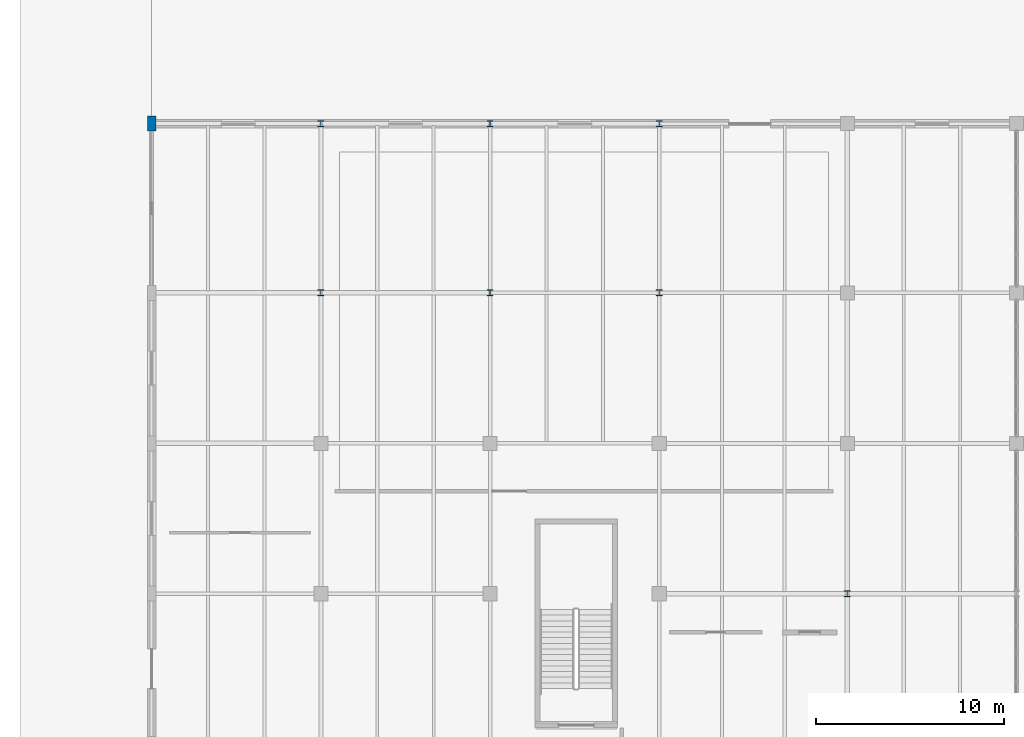
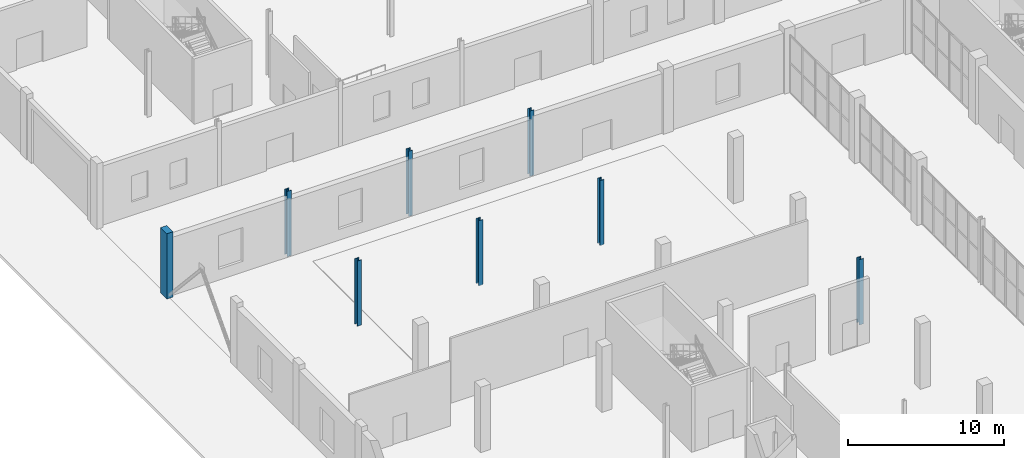
# One storey, part 6 of 103: 8 columns.
"""IFC4 building model written with IfcOpenShell, lengths in metres."""

from ifc_helpers import new_model, si_unit, direction, frame, origin, origin_2d, place, context, subcontext, project, spatial, rectangle, i_section, extrude, material, material_profile, profile_set, type_object, element, save


model = new_model("IFC4")

# Units and contexts
model_context = context("Model", 3, precision=1e-05, world=origin(), true_north=direction((0.0, 1.0)))
body_context = subcontext(model_context, "Body", "Model", "MODEL_VIEW")
ifc_project = project(units=[si_unit("LENGTHUNIT", "METRE"), si_unit("AREAUNIT", "SQUARE_METRE"), si_unit("VOLUMEUNIT", "CUBIC_METRE"), si_unit("PLANEANGLEUNIT", "RADIAN"), si_unit("MASSUNIT", "GRAM", prefix="KILO")], contexts=[model_context])

# Site, building, storey
site_placement = place(None, origin())
site = spatial("IfcSite", under=ifc_project, at=site_placement, CompositionType="ELEMENT")
building_placement = place(site_placement, origin())
building = spatial("IfcBuilding", under=site, at=building_placement, Name="Marnock Terrace Opera House", CompositionType="ELEMENT")
storey_placement = place(building_placement, origin())
storey = spatial("IfcBuildingStorey", under=building, at=storey_placement, Name="L00", CompositionType="ELEMENT", Elevation=0.0)

# Columns
ifc_material_1 = material(Name="Concrete N40 (f'c = 40 MPa)", Category="concrete")
ifc_material_profile_1 = material_profile(ifc_material_1, rectangle(XDim=0.449951171875, YDim=0.800048828125, at=origin_2d()))
ifc_profile_set_1 = profile_set([ifc_material_profile_1], Name="Concrete N40 (f'c = 40 MPa)")
column_type_1 = type_object("IfcColumnType", Name="COL-PIL-800", PredefinedType="PILASTER", material=ifc_profile_set_1)
column_placement = place(storey_placement, frame((0.0, 57.0, 0.0), z_axis=(0.0, 0.0, 1.0), x_axis=(1.0, 0.0, 0.0)))
element("IfcColumn", 1, at=column_placement, inside=storey, type_object=column_type_1, Name="L00 column at (0.0, 57.0)", PredefinedType="PILASTER", context=body_context, shape_type="SweptSolid", body=[
    extrude(rectangle(XDim=0.449951171875, YDim=0.800048828125, at=origin_2d()), origin(), (0.0, 0.0, 1.0), 5.1201171875),
])
ifc_material_2 = material(Name="Steel Grade 350 (AS/NZS 3679.1)", Category="steel")
ifc_material_profile_2 = material_profile(ifc_material_2, i_section(OverallWidth=0.31103515625, OverallDepth=0.3271484375, WebThickness=0.015625, FlangeThickness=0.02490234375, FilletRadius=0.0166015625, at=origin_2d()))
ifc_profile_set_2 = profile_set([ifc_material_profile_2], Name="Steel Grade 350 (AS/NZS 3679.1)")
column_type_2 = type_object("IfcColumnType", Name="COL-UC310A", PredefinedType="COLUMN", material=ifc_profile_set_2)
for number, where, z_axis, x_axis, name in (
    (2, (9.0, 48.0, 0.0), (0.0, 0.0, 1.0), (1.0, 0.0, 0.0), "L00 column at (9.0, 48.0)"),
    (3, (9.0, 57.0, 0.0), (0.0, 0.0, 1.0), (1.0, 0.0, 0.0), "L00 column at (9.0, 57.0)"),
    (4, (18.0, 48.0, 0.0), (0.0, 0.0, 1.0), (1.0, 0.0, 0.0), "L00 column at (18.0, 48.0)"),
    (5, (18.0, 57.0, 0.0), (0.0, 0.0, 1.0), (1.0, 0.0, 0.0), "L00 column at (18.0, 57.0)"),
    (6, (27.0, 48.0, 0.0), (0.0, 0.0, 1.0), (1.0, 0.0, 0.0), "L00 column at (27.0, 48.0)"),
    (7, (27.0, 57.0, 0.0), (0.0, 0.0, 1.0), (1.0, 0.0, 0.0), "L00 column at (27.0, 57.0)"),
    (8, (37.0, 32.0, 0.0), (0.0, 0.0, 1.0), (1.0, 0.0, 0.0), "L00 column at (37.0, 32.0)"),
):
    element("IfcColumn", number, at=place(storey_placement, frame(where, z_axis=z_axis, x_axis=x_axis)), inside=storey, type_object=column_type_2, Name=name, PredefinedType="COLUMN", context=body_context, shape_type="SweptSolid", body=[
        extrude(i_section(OverallWidth=0.31103515625, OverallDepth=0.3271484375, WebThickness=0.015625, FlangeThickness=0.02490234375, FilletRadius=0.0166015625, at=origin_2d()), origin(), (0.0, 0.0, 1.0), 5.1201171875),
    ])

save(model, "model.ifc")
